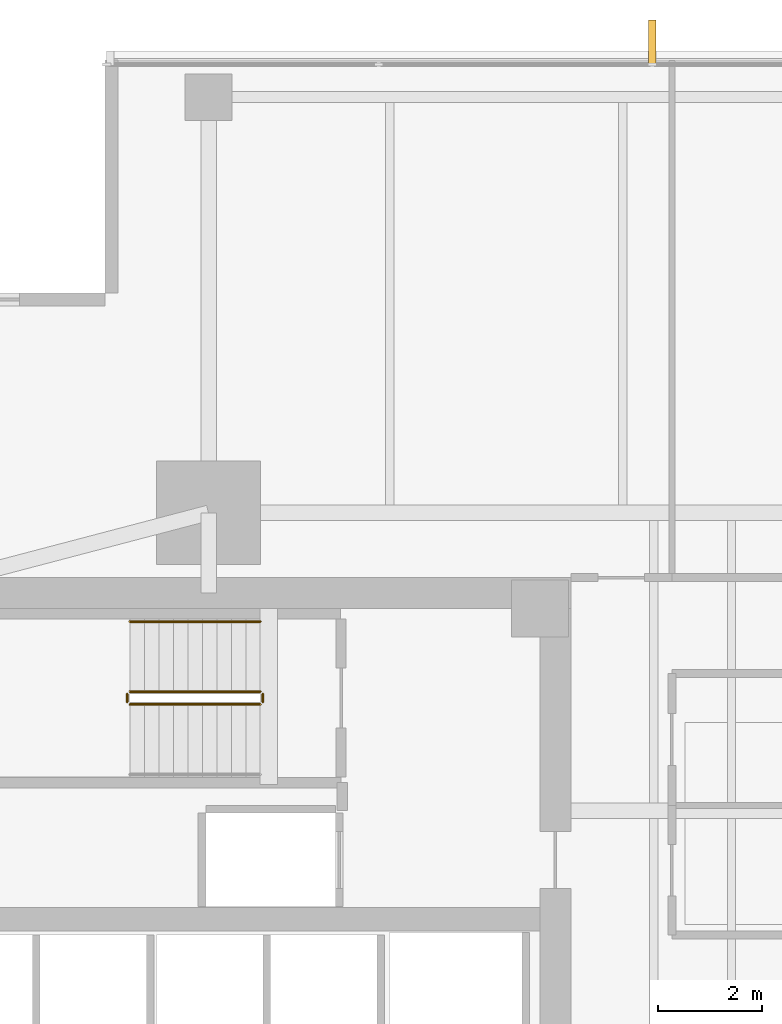
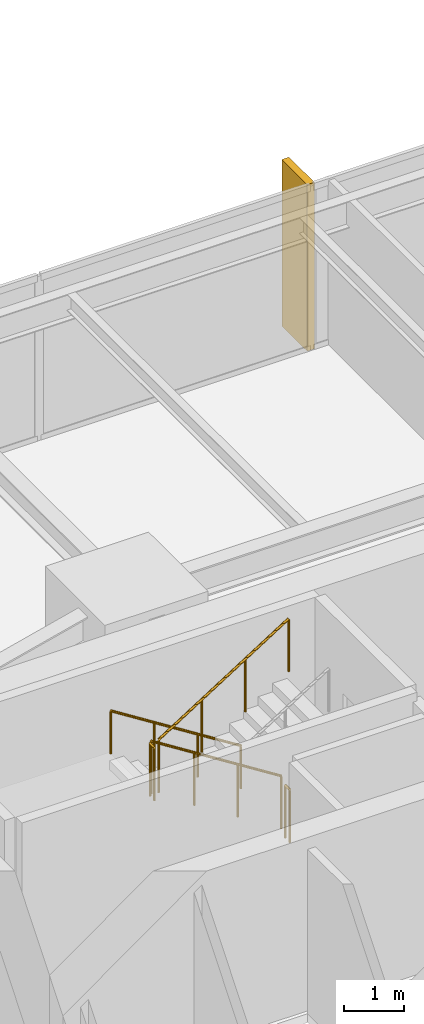
# One storey, part 13 of 14: 5 railings, 1 covering.
"""IFC4 building model written with IfcOpenShell, lengths in metres."""

from ifc_helpers import new_model, si_unit, direction, frame, origin, origin_2d, place, context, subcontext, project, spatial, polyline, circle, outline, extrude, material, layer, layer_set, type_object, element, save


model = new_model("IFC4")

# Units and contexts
model_context = context("Model", 3, precision=1e-05, world=origin(), true_north=direction((0.0, 1.0)))
body_context = subcontext(model_context, "Body", "Model", "MODEL_VIEW")
ifc_project = project(units=[si_unit("LENGTHUNIT", "METRE"), si_unit("AREAUNIT", "SQUARE_METRE"), si_unit("VOLUMEUNIT", "CUBIC_METRE"), si_unit("PLANEANGLEUNIT", "RADIAN"), si_unit("MASSUNIT", "GRAM", prefix="KILO")], contexts=[model_context])

# Site, building, storey
site_placement = place(None, origin())
site = spatial("IfcSite", under=ifc_project, at=site_placement, CompositionType="ELEMENT")
building_placement = place(site_placement, origin())
building = spatial("IfcBuilding", under=site, at=building_placement, Name="Kinhvarn Gate Tower", CompositionType="ELEMENT")
storey_placement = place(building_placement, frame((0.0, 0.0, 159.050048828125)))
storey = spatial("IfcBuildingStorey", under=building, at=storey_placement, Name="L42", CompositionType="ELEMENT", Elevation=159.050048828125)

# Covering
ifc_material_1 = material(Name="Fired architectural terracotta", Category="masonry")
ifc_layer = layer(ifc_material_1, 0.139892578125)
ifc_layer_set = layer_set([ifc_layer], Name="Fired architectural terracotta")
covering_type = type_object("IfcCoveringType", Name="COV-FIN-850", PredefinedType="CLADDING", material=ifc_layer_set)
covering_placement = place(storey_placement, frame((0.0, 0.0, -0.02001953125)))
element("IfcCovering", 1, at=covering_placement, inside=storey, type_object=covering_type, Name="Vertical Terracotta Expressive Fin TFN-850 (L42)", PredefinedType="CLADDING", context=body_context, shape_type="SweptSolid", body=[
    extrude(outline(polyline([(19.641357421875, 46.419921875), (19.50146484375, 46.419921875), (19.50146484375, 47.27001953125), (19.641357421875, 47.27001953125), (19.641357421875, 46.419921875)])), origin(), (0.0, 0.0, 1.0), 3.409912109375),
])

# Railings
ifc_material_2 = material(Name="Steel S355", Category="steel")
railing_type_1 = type_object("IfcRailingType", Name="RL-ST-GRD", PredefinedType="BALUSTRADE", material=ifc_material_2)
railing_1_placement = place(storey_placement, frame((12.0, 34.300048828125, 0.177490234375)))
element("IfcRailing", 2, at=railing_1_placement, inside=storey, type_object=railing_type_1, Name="L42 ST2 stair guard 1", PredefinedType="BALUSTRADE", context=body_context, shape_type="SweptSolid", body=[
    extrude(circle(Radius=0.02392578125, at=origin_2d()), frame((0.0, 0.0, 1.076171875), z_axis=(-0.84460694969, 0.0, 0.535386869969), x_axis=(0.0, -1.0, 0.0)), (0.0, 0.0, 1.0), 2.983642578125),
    extrude(circle(Radius=0.02099609375, at=origin_2d()), origin(), (0.0, 0.0, 1.0), 1.052001953125),
    extrude(circle(Radius=0.02099609375, at=origin_2d()), frame((-0.840087890625, 0.0, 0.532470703125)), (0.0, 0.0, 1.0), 1.052001953125),
    extrude(circle(Radius=0.02099609375, at=origin_2d()), frame((-1.679931640625, 0.0, 1.06494140625)), (0.0, 0.0, 1.0), 1.052001953125),
    extrude(circle(Radius=0.02099609375, at=origin_2d()), frame((-2.52001953125, 0.0, 1.597412109375)), (0.0, 0.0, 1.0), 1.052001953125),
])
railing_2_placement = place(storey_placement, frame((9.429931640625, 34.25, 1.77490234375)))
element("IfcRailing", 3, at=railing_2_placement, inside=storey, type_object=railing_type_1, Name="L42 ST2 stair guard 2", PredefinedType="BALUSTRADE", context=body_context, shape_type="SweptSolid", body=[
    extrude(circle(Radius=0.02392578125, at=origin_2d()), frame((0.0, 0.0, 1.076171875), z_axis=(0.0, -1.0, 0.0), x_axis=(1.0, 0.0, 0.0)), (0.0, 0.0, 1.0), 0.14990234375),
    extrude(circle(Radius=0.02099609375, at=origin_2d()), origin(), (0.0, 0.0, 1.0), 1.052001953125),
    extrude(circle(Radius=0.02099609375, at=origin_2d()), frame((0.0, -0.14990234375, 0.0)), (0.0, 0.0, 1.0), 1.052001953125),
])
railing_3_placement = place(storey_placement, frame((9.47998046875, 34.050048828125, 1.952392578125)))
element("IfcRailing", 4, at=railing_3_placement, inside=storey, type_object=railing_type_1, Name="L42 ST2 stair guard 3", PredefinedType="BALUSTRADE", context=body_context, shape_type="SweptSolid", body=[
    extrude(circle(Radius=0.02392578125, at=origin_2d()), frame((0.0, 0.0, 1.076171875), z_axis=(0.84456994832, 0.0, 0.535445237532), x_axis=(0.0, 1.0, 0.0)), (0.0, 0.0, 1.0), 2.98388671875),
    extrude(circle(Radius=0.02099609375, at=origin_2d()), origin(), (0.0, 0.0, 1.0), 1.052001953125),
    extrude(circle(Radius=0.02099609375, at=origin_2d()), frame((0.840087890625, 0.0, 0.532470703125)), (0.0, 0.0, 1.0), 1.052001953125),
    extrude(circle(Radius=0.02099609375, at=origin_2d()), frame((1.679931640625, 0.0, 1.065185546875)), (0.0, 0.0, 1.0), 1.052001953125),
    extrude(circle(Radius=0.02099609375, at=origin_2d()), frame((2.52001953125, 0.0, 1.59765625)), (0.0, 0.0, 1.0), 1.052001953125),
])
railing_4_placement = place(storey_placement, frame((12.050048828125, 34.25, 0.0)))
element("IfcRailing", 5, at=railing_4_placement, inside=storey, type_object=railing_type_1, Name="L42 ST2 stair guard 4", PredefinedType="BALUSTRADE", context=body_context, shape_type="SweptSolid", body=[
    extrude(circle(Radius=0.02392578125, at=origin_2d()), frame((0.0, 0.0, 1.076171875), z_axis=(0.0, -1.0, 0.0), x_axis=(1.0, 0.0, 0.0)), (0.0, 0.0, 1.0), 0.14990234375),
    extrude(circle(Radius=0.02099609375, at=origin_2d()), origin(), (0.0, 0.0, 1.0), 1.052001953125),
    extrude(circle(Radius=0.02099609375, at=origin_2d()), frame((0.0, -0.14990234375, 0.0)), (0.0, 0.0, 1.0), 1.052001953125),
])
railing_type_2 = type_object("IfcRailingType", Name="RL-ST-HND", PredefinedType="HANDRAIL", material=ifc_material_2)
railing_5_placement = place(storey_placement, frame((12.0, 35.64990234375, 0.177490234375)))
element("IfcRailing", 6, at=railing_5_placement, inside=storey, type_object=railing_type_2, Name="L42 ST2 stair handrail 1", PredefinedType="HANDRAIL", context=body_context, shape_type="SweptSolid", body=[
    extrude(circle(Radius=0.02392578125, at=origin_2d()), frame((0.0, 0.0, 0.8759765625), z_axis=(-0.84460694969, 0.0, 0.535386869969), x_axis=(0.0, -1.0, 0.0)), (0.0, 0.0, 1.0), 2.983642578125),
    extrude(circle(Radius=0.02099609375, at=origin_2d()), origin(), (0.0, 0.0, 1.0), 0.851806640625),
    extrude(circle(Radius=0.02099609375, at=origin_2d()), frame((-0.840087890625, 0.0, 0.532470703125)), (0.0, 0.0, 1.0), 0.851806640625),
    extrude(circle(Radius=0.02099609375, at=origin_2d()), frame((-1.679931640625, 0.0, 1.06494140625)), (0.0, 0.0, 1.0), 0.851806640625),
    extrude(circle(Radius=0.02099609375, at=origin_2d()), frame((-2.52001953125, 0.0, 1.597412109375)), (0.0, 0.0, 1.0), 0.851806640625),
])

save(model, "model.ifc")
